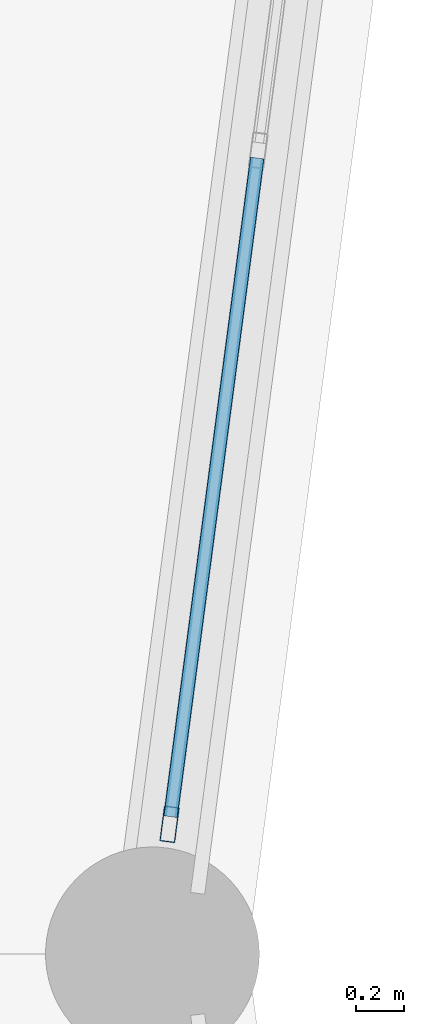
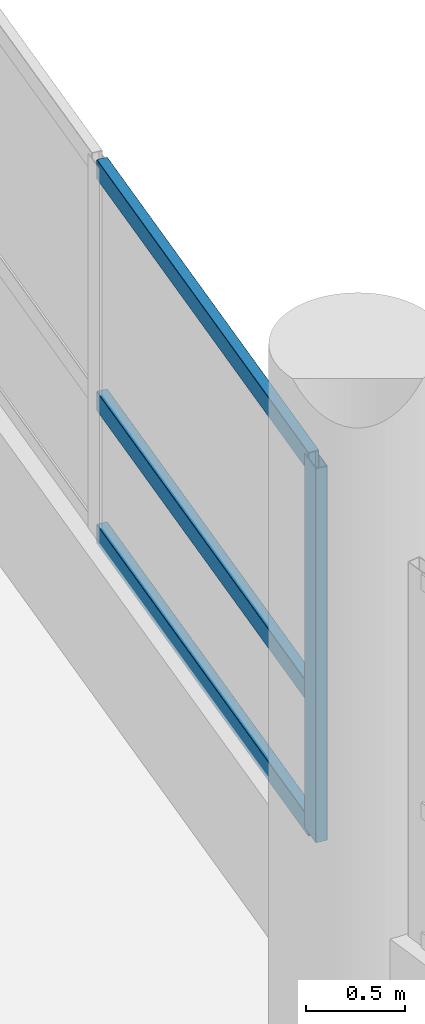
# One storey, part 35 of 128: 4 members, 1 element without a shape of its own.
"""IFC4 building model written with IfcOpenShell, lengths in metres."""

from ifc_helpers import new_model, si_unit, direction, frame, origin, origin_2d, place, context, subcontext, project, spatial, hollow_rectangle, extrude, material, layer, layer_set, material_profile, profile_set, type_object, element, aggregate, save


model = new_model("IFC4")

# Units and contexts
model_context = context("Model", 3, precision=1e-05, world=origin(), true_north=direction((0.0, 1.0)))
body_context = subcontext(model_context, "Body", "Model", "MODEL_VIEW")
ifc_project = project(units=[si_unit("LENGTHUNIT", "METRE"), si_unit("AREAUNIT", "SQUARE_METRE"), si_unit("VOLUMEUNIT", "CUBIC_METRE"), si_unit("PLANEANGLEUNIT", "RADIAN"), si_unit("MASSUNIT", "GRAM", prefix="KILO")], contexts=[model_context])

# Site, building, storey
site_placement = place(None, origin())
site = spatial("IfcSite", under=ifc_project, at=site_placement, CompositionType="ELEMENT")
building_placement = place(site_placement, origin())
building = spatial("IfcBuilding", under=site, at=building_placement, Name="Vespera Passage Community Centre", CompositionType="ELEMENT")
storey_placement = place(building_placement, frame((0.0, 0.0, 4.5)))
storey = spatial("IfcBuildingStorey", under=building, at=storey_placement, Name="L01", CompositionType="ELEMENT", Elevation=4.5)

# Curtain wall, members
ifc_material_1 = material(Name="Anodized aluminium 6063-T6", Category="aluminium")
ifc_layer = layer(ifc_material_1, 0.159912109375)
ifc_layer_set = layer_set([ifc_layer], Name="Anodized aluminium 6063-T6")
curtain_wall_type = type_object("IfcCurtainWallType", Name="CW-14E", PredefinedType="NOTDEFINED", material=ifc_layer_set)
curtain_wall_placement = place(storey_placement, origin())
curtain_wall = element("IfcCurtainWall", 1, at=curtain_wall_placement, inside=storey, type_object=curtain_wall_type, Name="V4 L01 Inner Court Curtain Wall 11", PredefinedType="NOTDEFINED")
ifc_material_2 = material(Name="Anodized aluminium 6063-T6", Category="aluminium")
ifc_material_profile_1 = material_profile(ifc_material_2, hollow_rectangle(XDim=0.06494140625, YDim=0.14990234375, WallThickness=0.00390625, InnerFilletRadius=0.001953125, OuterFilletRadius=0.00390625, at=origin_2d()), Name="ALU150X65X4")
ifc_profile_set_1 = profile_set([ifc_material_profile_1], Name="Anodized aluminium 6063-T6")
member_type_1 = type_object("IfcMemberType", Name="MB-CWM-150E", PredefinedType="MULLION", material=ifc_profile_set_1)
member_1_placement = place(storey_placement, frame((40.871826171875, 66.04541015625, 0.820068359375), z_axis=(0.0, 0.0, 1.0), x_axis=(0.991445387728, -0.1305221941, 0.0)))
member_1 = element("IfcMember", 2, at=member_1_placement, type_object=member_type_1, Name="CW-14E mullion 4", PredefinedType="MULLION", context=body_context, shape_type="SweptSolid", body=[
    extrude(hollow_rectangle(XDim=0.06494140625, YDim=0.14990234375, WallThickness=0.00390625, InnerFilletRadius=0.001953125, OuterFilletRadius=0.00390625, at=origin_2d()), origin(), (0.0, 0.0, 1.0), 2.309326171875),
])
ifc_material_3 = material(Name="Anodized aluminium 6063-T6", Category="aluminium")
ifc_material_profile_2 = material_profile(ifc_material_3, hollow_rectangle(XDim=0.06005859375, YDim=0.1201171875, WallThickness=0.00390625, InnerFilletRadius=0.001953125, OuterFilletRadius=0.00390625, at=origin_2d()), Name="ALU120X60X4")
ifc_profile_set_2 = profile_set([ifc_material_profile_2], Name="Anodized aluminium 6063-T6")
member_type_2 = type_object("IfcMemberType", Name="MB-CWT-120E", PredefinedType="USERDEFINED", material=ifc_profile_set_2)
member_2_placement = place(storey_placement, frame((41.24072265625, 68.84814453125, 0.85009765625), z_axis=(-0.130526832651, -0.991444777059, 0.0), x_axis=(0.991444777059, -0.130526832651, 0.0)))
member_2 = element("IfcMember", 3, at=member_2_placement, type_object=member_type_2, Name="CW-14E transom 3.1", ObjectType="TRANSOM", PredefinedType="USERDEFINED", context=body_context, shape_type="SweptSolid", body=[
    extrude(hollow_rectangle(XDim=0.06005859375, YDim=0.1201171875, WallThickness=0.00390625, InnerFilletRadius=0.001953125, OuterFilletRadius=0.00390625, at=origin_2d()), origin(), (0.0, 0.0, 1.0), 2.79443359375),
])
member_3_placement = place(storey_placement, frame((41.24072265625, 68.84814453125, 1.669921875), z_axis=(-0.130526832651, -0.991444777059, 0.0), x_axis=(0.991444777059, -0.130526832651, 0.0)))
member_3 = element("IfcMember", 4, at=member_3_placement, type_object=member_type_2, Name="CW-14E transom 3.2", ObjectType="TRANSOM", PredefinedType="USERDEFINED", context=body_context, shape_type="SweptSolid", body=[
    extrude(hollow_rectangle(XDim=0.06005859375, YDim=0.1201171875, WallThickness=0.00390625, InnerFilletRadius=0.001953125, OuterFilletRadius=0.00390625, at=origin_2d()), origin(), (0.0, 0.0, 1.0), 2.79443359375),
])
member_4_placement = place(storey_placement, frame((41.24072265625, 68.84814453125, 3.099609375), z_axis=(-0.130526832651, -0.991444777059, 0.0), x_axis=(0.991444777059, -0.130526832651, 0.0)))
member_4 = element("IfcMember", 5, at=member_4_placement, type_object=member_type_2, Name="CW-14E transom 3.3", ObjectType="TRANSOM", PredefinedType="USERDEFINED", context=body_context, shape_type="SweptSolid", body=[
    extrude(hollow_rectangle(XDim=0.06005859375, YDim=0.1201171875, WallThickness=0.00390625, InnerFilletRadius=0.001953125, OuterFilletRadius=0.00390625, at=origin_2d()), origin(), (0.0, 0.0, 1.0), 2.79443359375),
])
aggregate(curtain_wall, [member_1, member_2, member_3, member_4])

save(model, "model.ifc")
